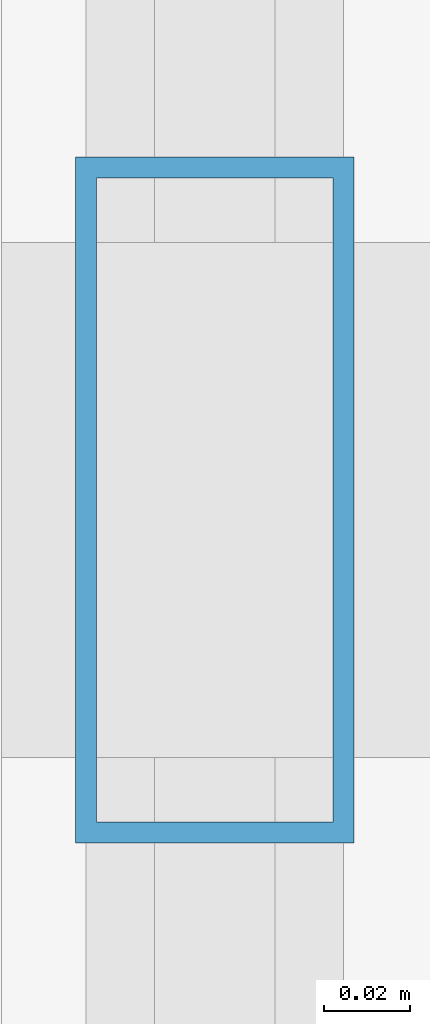
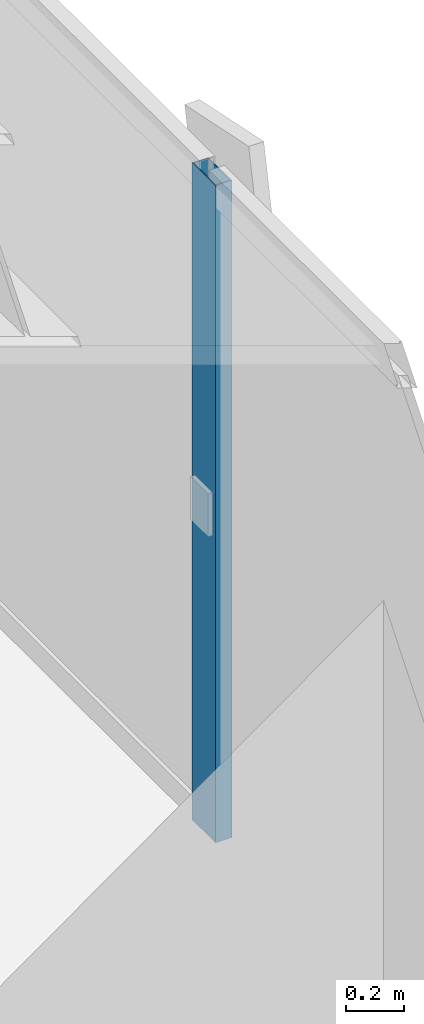
# One storey, part 11 of 29: 1 member, 1 element without a shape of its own.
"""IFC4 building model written with IfcOpenShell, lengths in metres."""

from ifc_helpers import new_model, si_unit, direction, frame, origin, origin_2d, place, context, subcontext, project, spatial, hollow_rectangle, extrude, source, transform, mapped, material, layer, layer_set, material_profile, profile_set, type_object, element, aggregate, save


model = new_model("IFC4")

# Units and contexts
model_context = context("Model", 3, precision=1e-05, world=origin(), true_north=direction((0.0, 1.0)))
body_context = subcontext(model_context, "Body", "Model", "MODEL_VIEW")
ifc_project = project(units=[si_unit("LENGTHUNIT", "METRE"), si_unit("AREAUNIT", "SQUARE_METRE"), si_unit("VOLUMEUNIT", "CUBIC_METRE"), si_unit("PLANEANGLEUNIT", "RADIAN"), si_unit("MASSUNIT", "GRAM", prefix="KILO")], contexts=[model_context])

# Site, building, storey
site_placement = place(None, origin())
site = spatial("IfcSite", under=ifc_project, at=site_placement, CompositionType="ELEMENT")
building_placement = place(site_placement, origin())
building = spatial("IfcBuilding", under=site, at=building_placement, Name="Sumidabori Civic Tower", CompositionType="ELEMENT")
storey_placement = place(building_placement, frame((0.0, 0.0, 131.60009765625)))
storey = spatial("IfcBuildingStorey", under=building, at=storey_placement, Name="L33", CompositionType="ELEMENT", Elevation=131.60009765625)

# Curtain wall, member
ifc_material = material(Name="Anodised Bronze Aluminium AW-6063-T6", Category="aluminium")
ifc_layer = layer(ifc_material, 0.179931640625, Name="Anodised Bronze Aluminium AW-6063-T6")
ifc_layer_set = layer_set([ifc_layer], Name="Anodised Bronze Aluminium AW-6063-T6")
curtain_wall_type = type_object("IfcCurtainWallType", Name="CW-SYS-3", PredefinedType="NOTDEFINED", material=ifc_layer_set)
curtain_wall_placement = place(storey_placement, origin())
curtain_wall = element("IfcCurtainWall", 1, at=curtain_wall_placement, inside=storey, type_object=curtain_wall_type, Name="Curtain Wall CW:L33:R04", PredefinedType="NOTDEFINED")
ifc_material_profile = material_profile(ifc_material, hollow_rectangle(XDim=0.06494140625, YDim=0.159912109375, WallThickness=0.0048828125, at=origin_2d()), Name="ALU MULLION 160x65")
ifc_profile_set = profile_set([ifc_material_profile], Name="Anodised Bronze Aluminium AW-6063-T6")
member_type = type_object("IfcMemberType", Name="CW-MUL-160", PredefinedType="MULLION", material=ifc_profile_set)
shared_shape = source(origin(), body_context, "Body", "SweptSolid", [
    extrude(hollow_rectangle(XDim=0.06494140625, YDim=0.159912109375, WallThickness=0.0048828125, at=origin_2d()), origin(), (0.0, 0.0, 1.0), 2.760009765625),
])
member_placement = place(storey_placement, frame((23.8798828125, -8.3349609375, 0.0), z_axis=(0.0, 0.0, 1.0), x_axis=(-1.0, 0.0, 0.0)))
member = element("IfcMember", 2, at=member_placement, type_object=member_type, Name="CW-3 mullion 2", PredefinedType="MULLION", context=body_context, shape_type="MappedRepresentation", body=[
    mapped(shared_shape, transform((0.0, 0.0, 0.0), x_axis=(1.0, 0.0, 0.0), y_axis=(0.0, 1.0, 0.0), z_axis=(0.0, 0.0, 1.0), scale=1.0)),
])
aggregate(curtain_wall, [member])

save(model, "model.ifc")
